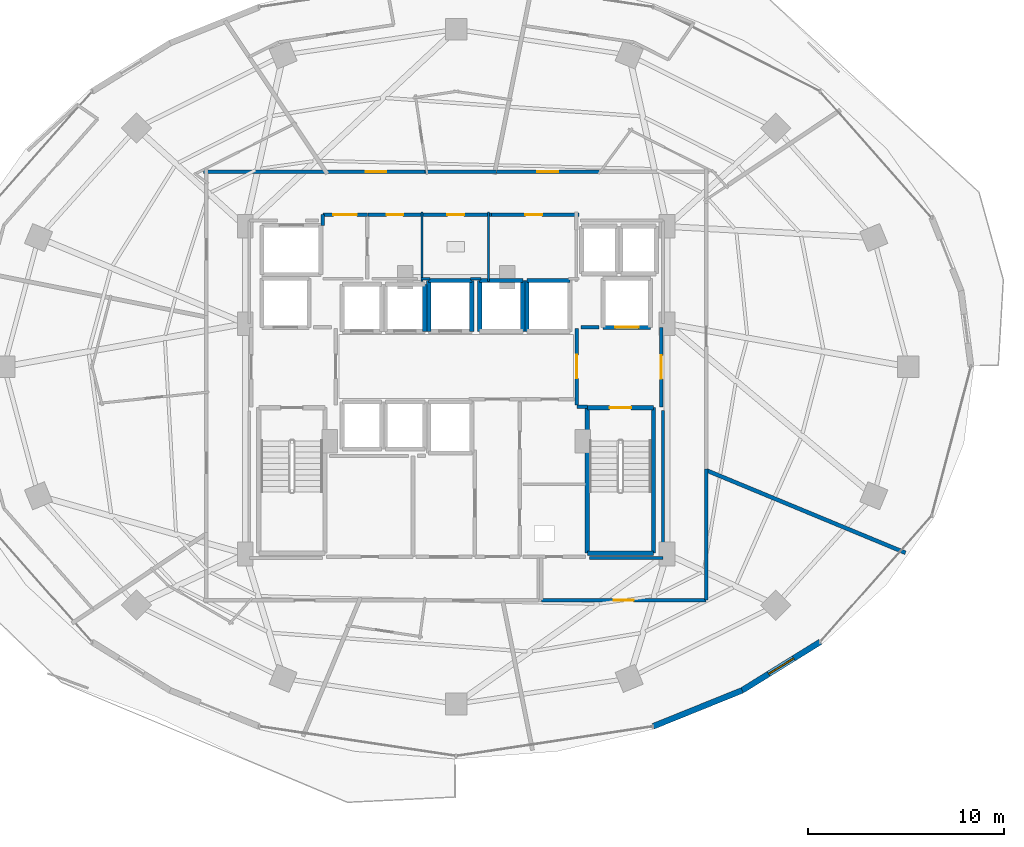
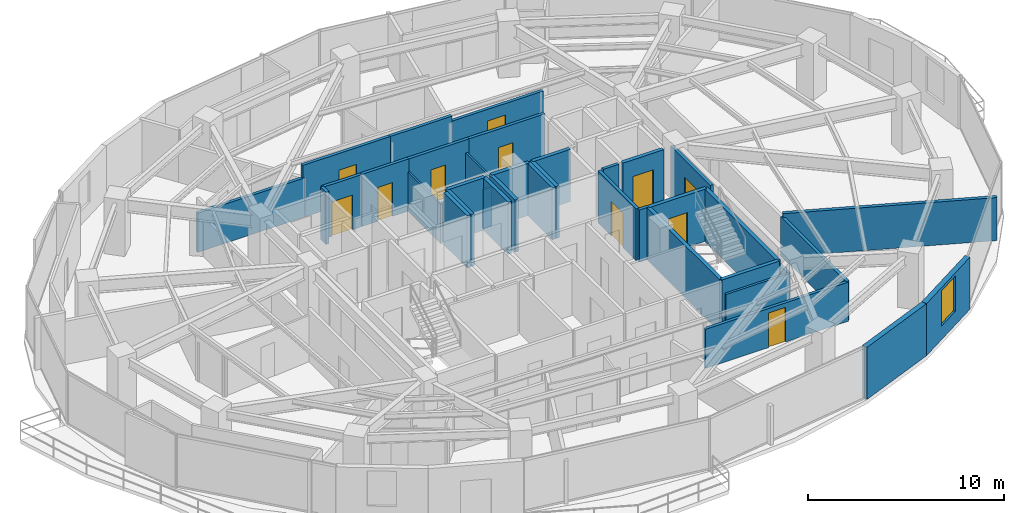
# One storey, part 25 of 30: 38 walls, 11 doors, 1 window, 12 openings.
"""IFC4 building model written with IfcOpenShell, lengths in metres."""

from ifc_helpers import new_model, si_unit, direction, frame, frame_2d, origin, place, context, subcontext, project, spatial, rectangle, extrude, material, layer, layer_set, type_object, element, fill, save


model = new_model("IFC4")

# Units and contexts
model_context = context("Model", 3, precision=1e-05, world=origin(), true_north=direction((0.0, 1.0)))
body_context = subcontext(model_context, "Body", "Model", "MODEL_VIEW")
ifc_project = project(units=[si_unit("LENGTHUNIT", "METRE"), si_unit("AREAUNIT", "SQUARE_METRE"), si_unit("VOLUMEUNIT", "CUBIC_METRE"), si_unit("PLANEANGLEUNIT", "RADIAN"), si_unit("MASSUNIT", "GRAM", prefix="KILO")], contexts=[model_context])

# Site, building, storey
site_placement = place(None, origin())
site = spatial("IfcSite", under=ifc_project, at=site_placement, CompositionType="ELEMENT")
building_placement = place(site_placement, origin())
building = spatial("IfcBuilding", under=site, at=building_placement, Name="Vorneva Point Tower", CompositionType="ELEMENT")
storey_placement = place(building_placement, frame((0.0, 0.0, 78.800048828125)))
storey = spatial("IfcBuildingStorey", under=building, at=storey_placement, Name="L20", CompositionType="ELEMENT", Elevation=78.800048828125)

# Wall, opening, door
ifc_material_1 = material(Name="Concrete B60 (C50/60)", Category="concrete")
ifc_layer_1 = layer(ifc_material_1, 0.5)
ifc_layer_set_1 = layer_set([ifc_layer_1], Name="Concrete B60 (C50/60)")
wall_type_1 = type_object("IfcWallType", Name="WL-CORE-500", PredefinedType="SHEAR", material=ifc_layer_set_1)
wall_1_placement = place(storey_placement, frame((45.5, 28.0, 0.0), z_axis=(0.0, 0.0, 1.0), x_axis=(1.0, 0.0, 0.0)))
wall_1 = element("IfcWall", 1, at=wall_1_placement, inside=storey, type_object=wall_type_1, Name="L20 Lift FFL2 Shaft Wall -Y", PredefinedType="SHEAR", context=body_context, shape_type="SweptSolid", body=[
    extrude(rectangle(XDim=2.39990234375, YDim=0.219970703125, at=frame_2d((1.199951171875, 0.0))), origin(), (0.0, 0.0, 1.0), 3.239990234375),
])
opening_1_placement = place(wall_1_placement, frame((0.60009765625, 0.0, 0.0)))
opening_1 = element("IfcOpeningElement", 2, at=opening_1_placement, cuts=wall_1, Name="Opening LD-02", PredefinedType="OPENING", context=body_context, shape_type="SweptSolid", body=[
    extrude(rectangle(XDim=1.199951171875, YDim=2.199951171875, at=frame_2d((0.60009765625, 1.10009765625))), frame((0.0, 0.125, 0.0), z_axis=(0.0, -1.0, 0.0), x_axis=(1.0, 0.0, 0.0)), (0.0, 0.0, 1.0), 0.249755859375),
])
ifc_material_2 = material(Name="Brushed stainless steel S304", Category="steel")
door_type_1 = type_object("IfcDoorType", Name="LD-FIRE-1200", OperationType="SLIDING_TO_LEFT", PredefinedType="DOOR", material=ifc_material_2)
door_1_placement = place(opening_1_placement, origin())
door_1 = element("IfcDoor", 3, at=door_1_placement, inside=storey, type_object=door_type_1, Name="L20 Lift FFL2 Sliding Landing Door", OperationType="SLIDING_TO_LEFT", OverallHeight=2.199951171875, OverallWidth=1.199951171875, PredefinedType="DOOR", context=body_context, shape_type="SweptSolid", body=[
    extrude(rectangle(XDim=1.199951171875, YDim=2.199951171875, at=frame_2d((0.60009765625, 1.10009765625))), frame((0.0, 0.02490234375, 0.0), z_axis=(0.0, -1.0, 0.0), x_axis=(1.0, 0.0, 0.0)), (0.0, 0.0, 1.0), 0.050048828125),
])
fill(opening_1, door_1)

# Wall
ifc_material_3 = material(Name="Precast concrete B50 (C40/50)", Category="concrete")
ifc_layer_2 = layer(ifc_material_3, 0.300048828125)
ifc_layer_set_2 = layer_set([ifc_layer_2], Name="Precast concrete B50 (C40/50)")
wall_type_2 = type_object("IfcWallType", Name="WL-EXT-300", PredefinedType="STANDARD", material=ifc_layer_set_2)
wall_2_placement = place(storey_placement, frame((48.04541015625, 7.660888671875, 0.0), z_axis=(0.0, 0.0, 1.0), x_axis=(0.927122233109, 0.374759075775, 0.0)))
element("IfcWall", 4, at=wall_2_placement, inside=storey, type_object=wall_type_2, Name="L20 Pale-Metal Facade Spandrel Wall 14.1", PredefinedType="STANDARD", context=body_context, shape_type="SweptSolid", body=[
    extrude(rectangle(XDim=4.89501953125, YDim=0.300048828125, at=frame_2d((2.447509765625, 0.0))), origin(), (0.0, 0.0, 1.0), 3.239990234375),
])

# Wall, opening, window
wall_3_placement = place(storey_placement, frame((52.583740234375, 9.495361328125, 0.0), z_axis=(0.0, 0.0, 1.0), x_axis=(0.849684479743, 0.527291461038, 0.0)))
wall_3 = element("IfcWall", 5, at=wall_3_placement, inside=storey, type_object=wall_type_2, Name="L20 Pale-Metal Facade Spandrel Wall 14.2", PredefinedType="STANDARD", context=body_context, shape_type="SweptSolid", body=[
    extrude(rectangle(XDim=4.681396484375, YDim=0.300048828125, at=frame_2d((2.3408203125, 0.0))), origin(), (0.0, 0.0, 1.0), 3.239990234375),
])
opening_2_placement = place(wall_3_placement, frame((1.5908203125, 0.0, 0.85009765625)))
opening_2 = element("IfcOpeningElement", 6, at=opening_2_placement, cuts=wall_3, Name="Opening W-02", PredefinedType="OPENING", context=body_context, shape_type="SweptSolid", body=[
    extrude(rectangle(XDim=1.5, YDim=2.18994140625, at=frame_2d((0.75, 1.094970703125))), frame((0.0, 0.1650390625, 0.0), z_axis=(0.0, -1.0, 0.0), x_axis=(1.0, 0.0, 0.0)), (0.0, 0.0, 1.0), 0.329833984375),
])
ifc_material_4 = material(Name="Double low-e laminated glass IGU", Category="glass")
window_type = type_object("IfcWindowType", Name="WN-HTL-1500", PartitioningType="SINGLE_PANEL", PredefinedType="WINDOW", material=ifc_material_4)
window_placement = place(opening_2_placement, origin())
window = element("IfcWindow", 7, at=window_placement, inside=storey, type_object=window_type, Name="L20 Facade Window 14", OverallHeight=2.18994140625, OverallWidth=1.5, PartitioningType="SINGLE_PANEL", PredefinedType="WINDOW", context=body_context, shape_type="SweptSolid", body=[
    extrude(rectangle(XDim=1.5, YDim=2.18994140625, at=frame_2d((0.75, 1.094970703125))), frame((0.0, 0.030029296875, 0.0), z_axis=(0.0, -1.0, 0.0), x_axis=(1.0, 0.0, 0.0)), (0.0, 0.0, 1.0), 0.06005859375),
])
fill(opening_2, window)

# Walls
ifc_material_5 = material(Name="Fire-rated acoustic gypsum stud partition", Category="gypsum")
ifc_layer_3 = layer(ifc_material_5, 0.110107421875)
ifc_layer_set_3 = layer_set([ifc_layer_3], Name="Fire-rated acoustic gypsum stud partition")
wall_type_3 = type_object("IfcWallType", Name="WL-PART-110", PredefinedType="PARTITIONING", material=ifc_layer_set_3)
for number, where, z_axis, x_axis, name in (
    (8, (36.25, 30.340087890625, 0.0), (0.0, 0.0, 1.0), (0.0, 1.0, 0.0), "L20 Interior Partition 017"),
    (9, (39.64990234375, 30.340087890625, 0.0), (0.0, 0.0, 1.0), (0.0, 1.0, 0.0), "L20 Interior Partition 019"),
):
    element("IfcWall", number, at=place(storey_placement, frame(where, z_axis=z_axis, x_axis=x_axis)), inside=storey, type_object=wall_type_3, Name=name, PredefinedType="PARTITIONING", context=body_context, shape_type="SweptSolid", body=[
        extrude(rectangle(XDim=3.559814453125, YDim=0.110107421875, at=frame_2d((1.77978515625, 0.0))), origin(), (0.0, 0.0, 1.0), 2.431884765625),
    ])
ifc_layer_4 = layer(ifc_material_5, 0.139892578125)
ifc_layer_set_4 = layer_set([ifc_layer_4], Name="Fire-rated acoustic gypsum stud partition")
wall_type_4 = type_object("IfcWallType", Name="WL-PART-140", PredefinedType="PARTITIONING", material=ifc_layer_set_4)
wall_4_placement = place(storey_placement, frame((36.219970703125, 30.47998046875, 0.0), z_axis=(0.0, 0.0, 1.0), x_axis=(1.0, 0.0, 0.0)))
element("IfcWall", 10, at=wall_4_placement, inside=storey, type_object=wall_type_4, Name="L20 Interior Closure Partition 098", PredefinedType="PARTITIONING", context=body_context, shape_type="SweptSolid", body=[
    extrude(rectangle(XDim=0.445068359375, YDim=0.139892578125, at=frame_2d((0.22265625, 0.0))), origin(), (0.0, 0.0, 1.0), 2.431884765625),
])
wall_5_placement = place(storey_placement, frame((38.735107421875, 30.47998046875, 0.0), z_axis=(0.0, 0.0, 1.0), x_axis=(1.0, 0.0, 0.0)))
element("IfcWall", 11, at=wall_5_placement, inside=storey, type_object=wall_type_4, Name="L20 Interior Closure Partition 099", PredefinedType="PARTITIONING", context=body_context, shape_type="SweptSolid", body=[
    extrude(rectangle(XDim=0.52978515625, YDim=0.139892578125, at=frame_2d((0.264892578125, 0.0))), origin(), (0.0, 0.0, 1.0), 2.431884765625),
])
wall_6_placement = place(storey_placement, frame((48.550048828125, 23.75390625, 0.0), z_axis=(0.0, 0.0, 1.0), x_axis=(0.0, -1.0, 0.0)))
element("IfcWall", 12, at=wall_6_placement, inside=storey, type_object=wall_type_4, Name="L20 Interior Closure Partition 106", PredefinedType="PARTITIONING", context=body_context, shape_type="SweptSolid", body=[
    extrude(rectangle(XDim=7.513916015625, YDim=0.139892578125, at=frame_2d((3.7568359375, 0.0))), origin(), (0.0, 0.0, 1.0), 2.431884765625),
])
wall_7_placement = place(storey_placement, frame((48.550048828125, 16.239990234375, 0.0), z_axis=(0.0, 0.0, 1.0), x_axis=(-1.0, 0.0, 0.0)))
element("IfcWall", 13, at=wall_7_placement, inside=storey, type_object=wall_type_4, Name="L20 Interior Closure Partition 107", PredefinedType="PARTITIONING", context=body_context, shape_type="SweptSolid", body=[
    extrude(rectangle(XDim=3.7451171875, YDim=0.139892578125, at=frame_2d((1.87255859375, 0.0))), origin(), (0.0, 0.0, 1.0), 2.431884765625),
])

# Wall, opening, door
ifc_material_6 = material(Name="Autoclaved aerated concrete blockwork", Category="masonry")
ifc_layer_5 = layer(ifc_material_6, 0.179931640625)
ifc_layer_set_5 = layer_set([ifc_layer_5], Name="Autoclaved aerated concrete blockwork")
wall_type_5 = type_object("IfcWallType", Name="WL-PART-180", PredefinedType="PARTITIONING", material=ifc_layer_set_5)
wall_8_placement = place(storey_placement, frame((44.14990234375, 27.955078125, 0.0), z_axis=(0.0, 0.0, 1.0), x_axis=(0.0, -1.0, 0.0)))
wall_8 = element("IfcWall", 14, at=wall_8_placement, inside=storey, type_object=wall_type_5, Name="L20 Interior Partition 003", PredefinedType="PARTITIONING", context=body_context, shape_type="SweptSolid", body=[
    extrude(rectangle(XDim=3.91015625, YDim=0.179931640625, at=frame_2d((1.955078125, 0.0))), origin(), (0.0, 0.0, 1.0), 3.239990234375),
])
opening_3_placement = place(wall_8_placement, frame((1.35498046875, 0.0, 0.0)))
opening_3 = element("IfcOpeningElement", 15, at=opening_3_placement, cuts=wall_8, Name="Opening FD-02", PredefinedType="OPENING", context=body_context, shape_type="SweptSolid", body=[
    extrude(rectangle(XDim=1.199951171875, YDim=2.14990234375, at=frame_2d((0.60009765625, 1.074951171875))), frame((0.0, 0.10498046875, 0.0), z_axis=(0.0, -1.0, 0.0), x_axis=(1.0, 0.0, 0.0)), (0.0, 0.0, 1.0), 0.209716796875),
])
ifc_material_7 = material(Name="Fire-rated powder-coated steel", Category="steel")
door_type_2 = type_object("IfcDoorType", Name="DR-FFL-1200", OperationType="NOTDEFINED", PredefinedType="DOOR", material=ifc_material_7)
door_2_placement = place(opening_3_placement, origin())
door_2 = element("IfcDoor", 16, at=door_2_placement, inside=storey, type_object=door_type_2, Name="L20 Door East Firefighting Lobby / Central Lift Lobby", OperationType="SINGLE_SWING_LEFT", OverallHeight=2.14990234375, OverallWidth=1.199951171875, PredefinedType="DOOR", context=body_context, shape_type="SweptSolid", body=[
    extrude(rectangle(XDim=1.199951171875, YDim=2.14990234375, at=frame_2d((0.60009765625, 1.074951171875))), frame((0.0, 0.02490234375, 0.0), z_axis=(0.0, -1.0, 0.0), x_axis=(1.0, 0.0, 0.0)), (0.0, 0.0, 1.0), 0.050048828125),
])
fill(opening_3, door_2)

# Wall
wall_9_placement = place(storey_placement, frame((44.14990234375, 23.949951171875, 0.0), z_axis=(0.0, 0.0, 1.0), x_axis=(1.0, 0.0, 0.0)))
element("IfcWall", 17, at=wall_9_placement, inside=storey, type_object=wall_type_5, Name="L20 Interior Partition 004", PredefinedType="PARTITIONING", context=body_context, shape_type="SweptSolid", body=[
    extrude(rectangle(XDim=0.5400390625, YDim=0.179931640625, at=frame_2d((0.27001953125, 0.0))), origin(), (0.0, 0.0, 1.0), 3.239990234375),
])

# Wall, opening, door
wall_10_placement = place(storey_placement, frame((48.449951171875, 23.949951171875, 0.0), z_axis=(0.0, 0.0, 1.0), x_axis=(0.0, 1.0, 0.0)))
wall_10 = element("IfcWall", 18, at=wall_10_placement, inside=storey, type_object=wall_type_5, Name="L20 Interior Partition 005", PredefinedType="PARTITIONING", context=body_context, shape_type="SweptSolid", body=[
    extrude(rectangle(XDim=4.050048828125, YDim=0.179931640625, at=frame_2d((2.02490234375, 0.0))), origin(), (0.0, 0.0, 1.0), 3.239990234375),
])
opening_4_placement = place(wall_10_placement, frame((1.425048828125, 0.0, 0.0)))
opening_4 = element("IfcOpeningElement", 19, at=opening_4_placement, cuts=wall_10, Name="Opening FD-02", PredefinedType="OPENING", context=body_context, shape_type="SweptSolid", body=[
    extrude(rectangle(XDim=1.199951171875, YDim=2.14990234375, at=frame_2d((0.60009765625, 1.074951171875))), frame((0.0, 0.10498046875, 0.0), z_axis=(0.0, -1.0, 0.0), x_axis=(1.0, 0.0, 0.0)), (0.0, 0.0, 1.0), 0.209716796875),
])
door_3_placement = place(opening_4_placement, origin())
door_3 = element("IfcDoor", 20, at=door_3_placement, inside=storey, type_object=door_type_2, Name="L20 Door East Firefighting Lobby / L20 Circulation Corridor", OperationType="SINGLE_SWING_LEFT", OverallHeight=2.14990234375, OverallWidth=1.199951171875, PredefinedType="DOOR", context=body_context, shape_type="SweptSolid", body=[
    extrude(rectangle(XDim=1.199951171875, YDim=2.14990234375, at=frame_2d((0.60009765625, 1.074951171875))), frame((0.0, 0.02490234375, 0.0), z_axis=(0.0, -1.0, 0.0), x_axis=(1.0, 0.0, 0.0)), (0.0, 0.0, 1.0), 0.050048828125),
])
fill(opening_4, door_3)

wall_11_placement = place(storey_placement, frame((33.469970703125, 33.760009765625, 0.0), z_axis=(0.0, 0.0, 1.0), x_axis=(-1.0, 0.0, 0.0)))
wall_11 = element("IfcWall", 21, at=wall_11_placement, inside=storey, type_object=wall_type_5, Name="L20 Interior Partition 007", PredefinedType="PARTITIONING", context=body_context, shape_type="SweptSolid", body=[
    extrude(rectangle(XDim=2.27001953125, YDim=0.179931640625, at=frame_2d((1.135009765625, 0.0))), origin(), (0.0, 0.0, 1.0), 3.239990234375),
])
opening_5_placement = place(wall_11_placement, frame((0.534912109375, 0.0, 0.0)))
opening_5 = element("IfcOpeningElement", 22, at=opening_5_placement, cuts=wall_11, Name="Opening FD-02", PredefinedType="OPENING", context=body_context, shape_type="SweptSolid", body=[
    extrude(rectangle(XDim=1.199951171875, YDim=2.14990234375, at=frame_2d((0.60009765625, 1.074951171875))), frame((0.0, 0.10498046875, 0.0), z_axis=(0.0, -1.0, 0.0), x_axis=(1.0, 0.0, 0.0)), (0.0, 0.0, 1.0), 0.209716796875),
])
door_4_placement = place(opening_5_placement, origin())
door_4 = element("IfcDoor", 23, at=door_4_placement, inside=storey, type_object=door_type_2, Name="L20 Door Service Lift Lobby / L20 Circulation Corridor", OperationType="SINGLE_SWING_RIGHT", OverallHeight=2.14990234375, OverallWidth=1.199951171875, PredefinedType="DOOR", context=body_context, shape_type="SweptSolid", body=[
    extrude(rectangle(XDim=1.199951171875, YDim=2.14990234375, at=frame_2d((0.60009765625, 1.074951171875))), frame((0.0, 0.02490234375, 0.0), z_axis=(0.0, -1.0, 0.0), x_axis=(1.0, 0.0, 0.0)), (0.0, 0.0, 1.0), 0.050048828125),
])
fill(opening_5, door_4)

# Wall
wall_12_placement = place(storey_placement, frame((31.199951171875, 33.760009765625, 0.0), z_axis=(0.0, 0.0, 1.0), x_axis=(0.0, -1.0, 0.0)))
element("IfcWall", 24, at=wall_12_placement, inside=storey, type_object=wall_type_5, Name="L20 Interior Partition 008", PredefinedType="PARTITIONING", context=body_context, shape_type="SweptSolid", body=[
    extrude(rectangle(XDim=0.56005859375, YDim=0.179931640625, at=frame_2d((0.280029296875, 0.0))), origin(), (0.0, 0.0, 1.0), 3.239990234375),
])

# Wall, opening, door
wall_13_placement = place(storey_placement, frame((36.25, 33.760009765625, 0.0), z_axis=(0.0, 0.0, 1.0), x_axis=(-1.0, 0.0, 0.0)))
wall_13 = element("IfcWall", 25, at=wall_13_placement, inside=storey, type_object=wall_type_5, Name="L20 Interior Partition 018", PredefinedType="PARTITIONING", context=body_context, shape_type="SweptSolid", body=[
    extrude(rectangle(XDim=2.75, YDim=0.179931640625, at=frame_2d((1.375, 0.0))), origin(), (0.0, 0.0, 1.0), 3.239990234375),
])
opening_6_placement = place(wall_13_placement, frame((0.949951171875, 0.0, 0.0)))
opening_6 = element("IfcOpeningElement", 26, at=opening_6_placement, cuts=wall_13, Name="Opening ID-02", PredefinedType="OPENING", context=body_context, shape_type="SweptSolid", body=[
    extrude(rectangle(XDim=0.85009765625, YDim=2.10009765625, at=frame_2d((0.425048828125, 1.050048828125))), frame((0.0, 0.10498046875, 0.0), z_axis=(0.0, -1.0, 0.0), x_axis=(1.0, 0.0, 0.0)), (0.0, 0.0, 1.0), 0.209716796875),
])
ifc_material_8 = material(Name="Engineered oak fire-rated door leaf", Category="wood")
door_type_3 = type_object("IfcDoorType", Name="DR-BATH-850", OperationType="NOTDEFINED", PredefinedType="DOOR", material=ifc_material_8)
door_5_placement = place(opening_6_placement, origin())
door_5 = element("IfcDoor", 27, at=door_5_placement, inside=storey, type_object=door_type_3, Name="L20 Door Core Supply Store / L20 Circulation Corridor", OperationType="SINGLE_SWING_RIGHT", OverallHeight=2.10009765625, OverallWidth=0.85009765625, PredefinedType="DOOR", context=body_context, shape_type="SweptSolid", body=[
    extrude(rectangle(XDim=0.85009765625, YDim=2.10009765625, at=frame_2d((0.425048828125, 1.050048828125))), frame((0.0, 0.02490234375, 0.0), z_axis=(0.0, -1.0, 0.0), x_axis=(1.0, 0.0, 0.0)), (0.0, 0.0, 1.0), 0.050048828125),
])
fill(opening_6, door_5)

wall_14_placement = place(storey_placement, frame((39.7900390625, 33.760009765625, 0.0), z_axis=(0.0, 0.0, 1.0), x_axis=(-1.0, 0.0, 0.0)))
wall_14 = element("IfcWall", 28, at=wall_14_placement, inside=storey, type_object=wall_type_5, Name="L20 Interior Partition 020", PredefinedType="PARTITIONING", context=body_context, shape_type="SweptSolid", body=[
    extrude(rectangle(XDim=3.630126953125, YDim=0.179931640625, at=frame_2d((1.81494140625, 0.0))), origin(), (0.0, 0.0, 1.0), 3.239990234375),
])
opening_7_placement = place(wall_14_placement, frame((1.389892578125, 0.0, 0.0)))
opening_7 = element("IfcOpeningElement", 29, at=opening_7_placement, cuts=wall_14, Name="Opening ID-02", PredefinedType="OPENING", context=body_context, shape_type="SweptSolid", body=[
    extrude(rectangle(XDim=0.85009765625, YDim=2.10009765625, at=frame_2d((0.425048828125, 1.050048828125))), frame((0.0, 0.10498046875, 0.0), z_axis=(0.0, -1.0, 0.0), x_axis=(1.0, 0.0, 0.0)), (0.0, 0.0, 1.0), 0.209716796875),
])
door_6_placement = place(opening_7_placement, origin())
door_6 = element("IfcDoor", 30, at=door_6_placement, inside=storey, type_object=door_type_3, Name="L20 Door Accessible WC / L20 Circulation Corridor", OperationType="SINGLE_SWING_LEFT", OverallHeight=2.10009765625, OverallWidth=0.85009765625, PredefinedType="DOOR", context=body_context, shape_type="SweptSolid", body=[
    extrude(rectangle(XDim=0.85009765625, YDim=2.10009765625, at=frame_2d((0.425048828125, 1.050048828125))), frame((0.0, 0.02490234375, 0.0), z_axis=(0.0, -1.0, 0.0), x_axis=(1.0, 0.0, 0.0)), (0.0, 0.0, 1.0), 0.050048828125),
])
fill(opening_7, door_6)

wall_15_placement = place(storey_placement, frame((44.260009765625, 33.760009765625, 0.0), z_axis=(0.0, 0.0, 1.0), x_axis=(-1.0, 0.0, 0.0)))
wall_15 = element("IfcWall", 31, at=wall_15_placement, inside=storey, type_object=wall_type_5, Name="L20 Interior Partition 021", PredefinedType="PARTITIONING", context=body_context, shape_type="SweptSolid", body=[
    extrude(rectangle(XDim=4.610107421875, YDim=0.179931640625, at=frame_2d((2.30517578125, 0.0))), origin(), (0.0, 0.0, 1.0), 3.239990234375),
])
opening_8_placement = place(wall_15_placement, frame((1.8798828125, 0.0, 0.0)))
opening_8 = element("IfcOpeningElement", 32, at=opening_8_placement, cuts=wall_15, Name="Opening ID-02", PredefinedType="OPENING", context=body_context, shape_type="SweptSolid", body=[
    extrude(rectangle(XDim=0.85009765625, YDim=2.10009765625, at=frame_2d((0.425048828125, 1.050048828125))), frame((0.0, 0.10498046875, 0.0), z_axis=(0.0, -1.0, 0.0), x_axis=(1.0, 0.0, 0.0)), (0.0, 0.0, 1.0), 0.209716796875),
])
door_7_placement = place(opening_8_placement, origin())
door_7 = element("IfcDoor", 33, at=door_7_placement, inside=storey, type_object=door_type_3, Name="L20 Door Public WC / L20 Circulation Corridor", OperationType="SINGLE_SWING_RIGHT", OverallHeight=2.10009765625, OverallWidth=0.85009765625, PredefinedType="DOOR", context=body_context, shape_type="SweptSolid", body=[
    extrude(rectangle(XDim=0.85009765625, YDim=2.10009765625, at=frame_2d((0.425048828125, 1.050048828125))), frame((0.0, 0.02490234375, 0.0), z_axis=(0.0, -1.0, 0.0), x_axis=(1.0, 0.0, 0.0)), (0.0, 0.0, 1.0), 0.050048828125),
])
fill(opening_8, door_7)

wall_16_placement = place(storey_placement, frame((45.424072265625, 35.949951171875, 0.0), z_axis=(0.0, 0.0, 1.0), x_axis=(-1.0, 0.0, 0.0)))
wall_16 = element("IfcWall", 34, at=wall_16_placement, inside=storey, type_object=wall_type_5, Name="L20 Interior Partition 026", PredefinedType="PARTITIONING", context=body_context, shape_type="SweptSolid", body=[
    extrude(rectangle(XDim=5.505126953125, YDim=0.179931640625, at=frame_2d((2.75244140625, 0.0))), origin(), (0.0, 0.0, 1.0), 2.921875),
])
opening_9_placement = place(wall_16_placement, frame((2.2275390625, 0.0, 0.0)))
opening_9 = element("IfcOpeningElement", 35, at=opening_9_placement, cuts=wall_16, Name="Opening UD-02", PredefinedType="OPENING", context=body_context, shape_type="SweptSolid", body=[
    extrude(rectangle(XDim=1.050048828125, YDim=2.199951171875, at=frame_2d((0.52490234375, 1.10009765625))), frame((0.0, 0.10498046875, 0.0), z_axis=(0.0, -1.0, 0.0), x_axis=(1.0, 0.0, 0.0)), (0.0, 0.0, 1.0), 0.209716796875),
])
door_type_4 = type_object("IfcDoorType", Name="DR-SUITE-1050", OperationType="NOTDEFINED", PredefinedType="DOOR", material=ifc_material_8)
door_8_placement = place(opening_9_placement, origin())
door_8 = element("IfcDoor", 36, at=door_8_placement, inside=storey, type_object=door_type_4, Name="L20 Door L20 Circulation Corridor / Corner Suite L20-01", OperationType="SINGLE_SWING_LEFT", OverallHeight=2.199951171875, OverallWidth=1.050048828125, PredefinedType="DOOR", context=body_context, shape_type="SweptSolid", body=[
    extrude(rectangle(XDim=1.050048828125, YDim=2.199951171875, at=frame_2d((0.52490234375, 1.10009765625))), frame((0.0, 0.02490234375, 0.0), z_axis=(0.0, -1.0, 0.0), x_axis=(1.0, 0.0, 0.0)), (0.0, 0.0, 1.0), 0.050048828125),
])
fill(opening_9, door_8)

wall_17_placement = place(storey_placement, frame((36.56396484375, 35.949951171875, 0.0), z_axis=(0.0, 0.0, 1.0), x_axis=(-1.0, 0.0, 0.0)))
wall_17 = element("IfcWall", 37, at=wall_17_placement, inside=storey, type_object=wall_type_5, Name="L20 Interior Partition 029", PredefinedType="PARTITIONING", context=body_context, shape_type="SweptSolid", body=[
    extrude(rectangle(XDim=5.283935546875, YDim=0.179931640625, at=frame_2d((2.64208984375, 0.0))), origin(), (0.0, 0.0, 1.0), 3.239990234375),
])
opening_10_placement = place(wall_17_placement, frame((2.116943359375, 0.0, 0.0)))
opening_10 = element("IfcOpeningElement", 38, at=opening_10_placement, cuts=wall_17, Name="Opening UD-02", PredefinedType="OPENING", context=body_context, shape_type="SweptSolid", body=[
    extrude(rectangle(XDim=1.050048828125, YDim=2.199951171875, at=frame_2d((0.52490234375, 1.10009765625))), frame((0.0, 0.10498046875, 0.0), z_axis=(0.0, -1.0, 0.0), x_axis=(1.0, 0.0, 0.0)), (0.0, 0.0, 1.0), 0.209716796875),
])
door_9_placement = place(opening_10_placement, origin())
door_9 = element("IfcDoor", 39, at=door_9_placement, inside=storey, type_object=door_type_4, Name="L20 Door L20 Circulation Corridor / Junior Suite L20-02", OperationType="SINGLE_SWING_RIGHT", OverallHeight=2.199951171875, OverallWidth=1.050048828125, PredefinedType="DOOR", context=body_context, shape_type="SweptSolid", body=[
    extrude(rectangle(XDim=1.050048828125, YDim=2.199951171875, at=frame_2d((0.52490234375, 1.10009765625))), frame((0.0, 0.02490234375, 0.0), z_axis=(0.0, -1.0, 0.0), x_axis=(1.0, 0.0, 0.0)), (0.0, 0.0, 1.0), 0.050048828125),
])
fill(opening_10, door_9)

# Walls
wall_18_placement = place(storey_placement, frame((40.05908203125, 35.949951171875, 0.0), z_axis=(0.0, 0.0, 1.0), x_axis=(-1.0, 0.0, 0.0)))
element("IfcWall", 40, at=wall_18_placement, inside=storey, type_object=wall_type_5, Name="L20 Interior Partition 030", PredefinedType="PARTITIONING", context=body_context, shape_type="SweptSolid", body=[
    extrude(rectangle(XDim=3.635009765625, YDim=0.179931640625, at=frame_2d((1.8173828125, 0.0))), origin(), (0.0, 0.0, 1.0), 3.239990234375),
])
wall_19_placement = place(storey_placement, frame((31.419921875, 35.949951171875, 0.0), z_axis=(0.0, 0.0, 1.0), x_axis=(-1.0, 0.0, 0.0)))
element("IfcWall", 41, at=wall_19_placement, inside=storey, type_object=wall_type_5, Name="L20 Interior Partition 032", PredefinedType="PARTITIONING", context=body_context, shape_type="SweptSolid", body=[
    extrude(rectangle(XDim=6.309814453125, YDim=0.179931640625, at=frame_2d((3.15478515625, 0.0))), origin(), (0.0, 0.0, 1.0), 2.431884765625),
])

# Wall, opening, door
wall_20_placement = place(storey_placement, frame((42.340087890625, 14.10009765625, 0.0), z_axis=(0.0, 0.0, 1.0), x_axis=(1.0, 0.0, 0.0)))
wall_20 = element("IfcWall", 42, at=wall_20_placement, inside=storey, type_object=wall_type_5, Name="L20 Interior Partition 042", PredefinedType="PARTITIONING", context=body_context, shape_type="SweptSolid", body=[
    extrude(rectangle(XDim=8.409912109375, YDim=0.179931640625, at=frame_2d((4.205078125, 0.0))), origin(), (0.0, 0.0, 1.0), 2.431884765625),
])
opening_11_placement = place(wall_20_placement, frame((3.705078125, 0.0, 0.0)))
opening_11 = element("IfcOpeningElement", 43, at=opening_11_placement, cuts=wall_20, Name="Opening UD-01", PredefinedType="OPENING", context=body_context, shape_type="SweptSolid", body=[
    extrude(rectangle(XDim=1.0, YDim=2.14990234375, at=frame_2d((0.5, 1.074951171875))), frame((0.0, 0.10498046875, 0.0), z_axis=(0.0, -1.0, 0.0), x_axis=(1.0, 0.0, 0.0)), (0.0, 0.0, 1.0), 0.209716796875),
])
door_type_5 = type_object("IfcDoorType", Name="DR-UNIT-1000", OperationType="NOTDEFINED", PredefinedType="DOOR", material=ifc_material_8)
door_10_placement = place(opening_11_placement, origin())
door_10 = element("IfcDoor", 44, at=door_10_placement, inside=storey, type_object=door_type_5, Name="L20 Door L20 Circulation Corridor / Hotel Club Lounge L20-07", OperationType="SINGLE_SWING_LEFT", OverallHeight=2.14990234375, OverallWidth=1.0, PredefinedType="DOOR", context=body_context, shape_type="SweptSolid", body=[
    extrude(rectangle(XDim=1.0, YDim=2.14990234375, at=frame_2d((0.5, 1.074951171875))), frame((0.0, 0.02490234375, 0.0), z_axis=(0.0, -1.0, 0.0), x_axis=(1.0, 0.0, 0.0)), (0.0, 0.0, 1.0), 0.050048828125),
])
fill(opening_11, door_10)

# Walls
wall_21_placement = place(storey_placement, frame((50.75, 14.10009765625, 0.0), z_axis=(0.0, 0.0, 1.0), x_axis=(0.0, 1.0, 0.0)))
element("IfcWall", 45, at=wall_21_placement, inside=storey, type_object=wall_type_5, Name="L20 Interior Partition 043", PredefinedType="PARTITIONING", context=body_context, shape_type="SweptSolid", body=[
    extrude(rectangle(XDim=6.678955078125, YDim=0.179931640625, at=frame_2d((3.33935546875, 0.0))), origin(), (0.0, 0.0, 1.0), 2.431884765625),
])
wall_22_placement = place(storey_placement, frame((45.280029296875, 28.0, 0.0), z_axis=(0.0, 0.0, 1.0), x_axis=(-1.0, 0.0, 0.0)))
element("IfcWall", 46, at=wall_22_placement, inside=storey, type_object=wall_type_5, Name="L20 Interior Closure Partition 095", PredefinedType="PARTITIONING", context=body_context, shape_type="SweptSolid", body=[
    extrude(rectangle(XDim=0.9150390625, YDim=0.179931640625, at=frame_2d((0.45751953125, 0.0))), origin(), (0.0, 0.0, 1.0), 3.239990234375),
])
ifc_layer_6 = layer(ifc_material_6, 0.199951171875)
ifc_layer_set_6 = layer_set([ifc_layer_6], Name="Autoclaved aerated concrete blockwork")
wall_type_6 = type_object("IfcWallType", Name="WL-PART-200", PredefinedType="PARTITIONING", material=ifc_layer_set_6)
wall_23_placement = place(storey_placement, frame((60.910888671875, 16.510009765625, 0.0), z_axis=(0.0, 0.0, 1.0), x_axis=(-0.923872894692, 0.382699457086, 0.0)))
element("IfcWall", 47, at=wall_23_placement, inside=storey, type_object=wall_type_6, Name="L20 Interior Partition 093", PredefinedType="PARTITIONING", context=body_context, shape_type="SweptSolid", body=[
    extrude(rectangle(XDim=10.998046875, YDim=0.199951171875, at=frame_2d((5.4990234375, 0.0))), origin(), (0.0, 0.0, 1.0), 2.677001953125),
])

# Wall, opening, door
ifc_material_9 = material(Name="Concrete B50 (C40/50)", Category="concrete")
ifc_layer_7 = layer(ifc_material_9, 0.219970703125)
ifc_layer_set_7 = layer_set([ifc_layer_7], Name="Concrete B50 (C40/50)")
wall_type_7 = type_object("IfcWallType", Name="WL-SHFT-220", PredefinedType="SOLIDWALL", material=ifc_layer_set_7)
wall_24_placement = place(storey_placement, frame((44.68994140625, 23.909912109375, 0.0), z_axis=(0.0, 0.0, 1.0), x_axis=(1.0, 0.0, 0.0)))
wall_24 = element("IfcWall", 48, at=wall_24_placement, inside=storey, type_object=wall_type_7, Name="L20 Exit Stair ST2 Shaft Wall near", PredefinedType="SOLIDWALL", context=body_context, shape_type="SweptSolid", body=[
    extrude(rectangle(XDim=3.3701171875, YDim=0.219970703125, at=frame_2d((1.68505859375, 0.0))), origin(), (0.0, 0.0, 1.0), 3.239990234375),
])
opening_12_placement = place(wall_24_placement, frame((1.135009765625, 0.0, 0.0)))
opening_12 = element("IfcOpeningElement", 49, at=opening_12_placement, cuts=wall_24, Name="Opening FD-01", PredefinedType="OPENING", context=body_context, shape_type="SweptSolid", body=[
    extrude(rectangle(XDim=1.10009765625, YDim=2.14990234375, at=frame_2d((0.550048828125, 1.074951171875))), frame((0.0, 0.125, 0.0), z_axis=(0.0, -1.0, 0.0), x_axis=(1.0, 0.0, 0.0)), (0.0, 0.0, 1.0), 0.249755859375),
])
door_type_6 = type_object("IfcDoorType", Name="DR-STAIR-1100", OperationType="NOTDEFINED", PredefinedType="DOOR", material=ifc_material_7)
door_11_placement = place(opening_12_placement, origin())
door_11 = element("IfcDoor", 50, at=door_11_placement, inside=storey, type_object=door_type_6, Name="L20 Exit Stair ST2 Fire Door", OperationType="SINGLE_SWING_LEFT", OverallHeight=2.14990234375, OverallWidth=1.10009765625, PredefinedType="DOOR", context=body_context, shape_type="SweptSolid", body=[
    extrude(rectangle(XDim=1.10009765625, YDim=2.14990234375, at=frame_2d((0.550048828125, 1.074951171875))), frame((0.0, 0.02490234375, 0.0), z_axis=(0.0, -1.0, 0.0), x_axis=(1.0, 0.0, 0.0)), (0.0, 0.0, 1.0), 0.050048828125),
])
fill(opening_12, door_11)

# Walls
wall_25_placement = place(storey_placement, frame((48.06005859375, 23.909912109375, 0.0), z_axis=(0.0, 0.0, 1.0), x_axis=(0.0, -1.0, 0.0)))
element("IfcWall", 51, at=wall_25_placement, inside=storey, type_object=wall_type_7, Name="L20 Exit Stair ST2 Shaft Wall right", PredefinedType="SOLIDWALL", context=body_context, shape_type="SweptSolid", body=[
    extrude(rectangle(XDim=7.419921875, YDim=0.219970703125, at=frame_2d((3.7099609375, 0.0))), origin(), (0.0, 0.0, 1.0), 3.239990234375),
])
wall_26_placement = place(storey_placement, frame((48.06005859375, 16.489990234375, 0.0), z_axis=(0.0, 0.0, 1.0), x_axis=(-1.0, 0.0, 0.0)))
element("IfcWall", 52, at=wall_26_placement, inside=storey, type_object=wall_type_7, Name="L20 Exit Stair ST2 Shaft Wall far", PredefinedType="SOLIDWALL", context=body_context, shape_type="SweptSolid", body=[
    extrude(rectangle(XDim=3.3701171875, YDim=0.219970703125, at=frame_2d((1.68505859375, 0.0))), origin(), (0.0, 0.0, 1.0), 3.239990234375),
])
wall_27_placement = place(storey_placement, frame((44.68994140625, 16.489990234375, 0.0), z_axis=(0.0, 0.0, 1.0), x_axis=(0.0, 1.0, 0.0)))
element("IfcWall", 53, at=wall_27_placement, inside=storey, type_object=wall_type_7, Name="L20 Exit Stair ST2 Shaft Wall left", PredefinedType="SOLIDWALL", context=body_context, shape_type="SweptSolid", body=[
    extrude(rectangle(XDim=7.419921875, YDim=0.219970703125, at=frame_2d((3.7099609375, 0.0))), origin(), (0.0, 0.0, 1.0), 3.239990234375),
])
wall_28_placement = place(storey_placement, frame((36.39990234375, 27.800048828125, 0.0), z_axis=(0.0, 0.0, 1.0), x_axis=(0.0, 1.0, 0.0)))
element("IfcWall", 54, at=wall_28_placement, inside=storey, type_object=wall_type_7, Name="L20 Lift PL2 Shaft Wall +X", PredefinedType="SOLIDWALL", context=body_context, shape_type="SweptSolid", body=[
    extrude(rectangle(XDim=2.39990234375, YDim=0.219970703125, at=frame_2d((1.199951171875, 0.0))), origin(), (0.0, 0.0, 1.0), 3.239990234375),
])
wall_29_placement = place(storey_placement, frame((38.800048828125, 27.800048828125, 0.0), z_axis=(0.0, 0.0, 1.0), x_axis=(0.0, 1.0, 0.0)))
element("IfcWall", 55, at=wall_29_placement, inside=storey, type_object=wall_type_7, Name="L20 Lift PL3 Shaft Wall +X", PredefinedType="SOLIDWALL", context=body_context, shape_type="SweptSolid", body=[
    extrude(rectangle(XDim=2.599853515625, YDim=0.219970703125, at=frame_2d((1.2998046875, 0.0))), origin(), (0.0, 0.0, 1.0), 3.239990234375),
])
wall_30_placement = place(storey_placement, frame((38.800048828125, 30.39990234375, 0.0), z_axis=(0.0, 0.0, 1.0), x_axis=(-1.0, 0.0, 0.0)))
element("IfcWall", 56, at=wall_30_placement, inside=storey, type_object=wall_type_7, Name="L20 Lift PL3 Shaft Wall +Y", PredefinedType="SOLIDWALL", context=body_context, shape_type="SweptSolid", body=[
    extrude(rectangle(XDim=2.199951171875, YDim=0.219970703125, at=frame_2d((1.10009765625, 0.0))), origin(), (0.0, 0.0, 1.0), 3.239990234375),
])
for number, where, z_axis, x_axis, name in (
    (57, (36.60009765625, 30.39990234375, 0.0), (0.0, 0.0, 1.0), (0.0, -1.0, 0.0), "L20 Lift PL3 Shaft Wall -X"),
    (58, (41.39990234375, 27.800048828125, 0.0), (0.0, 0.0, 1.0), (0.0, 1.0, 0.0), "L20 Lift PL7 Shaft Wall +X"),
):
    element("IfcWall", number, at=place(storey_placement, frame(where, z_axis=z_axis, x_axis=x_axis)), inside=storey, type_object=wall_type_7, Name=name, PredefinedType="SOLIDWALL", context=body_context, shape_type="SweptSolid", body=[
        extrude(rectangle(XDim=2.599853515625, YDim=0.219970703125, at=frame_2d((1.2998046875, 0.0))), origin(), (0.0, 0.0, 1.0), 3.239990234375),
    ])
wall_31_placement = place(storey_placement, frame((41.39990234375, 30.39990234375, 0.0), z_axis=(0.0, 0.0, 1.0), x_axis=(-1.0, 0.0, 0.0)))
element("IfcWall", 59, at=wall_31_placement, inside=storey, type_object=wall_type_7, Name="L20 Lift PL7 Shaft Wall +Y", PredefinedType="SOLIDWALL", context=body_context, shape_type="SweptSolid", body=[
    extrude(rectangle(XDim=2.199951171875, YDim=0.219970703125, at=frame_2d((1.10009765625, 0.0))), origin(), (0.0, 0.0, 1.0), 3.239990234375),
])
wall_32_placement = place(storey_placement, frame((39.199951171875, 30.39990234375, 0.0), z_axis=(0.0, 0.0, 1.0), x_axis=(0.0, -1.0, 0.0)))
element("IfcWall", 60, at=wall_32_placement, inside=storey, type_object=wall_type_7, Name="L20 Lift PL7 Shaft Wall -X", PredefinedType="SOLIDWALL", context=body_context, shape_type="SweptSolid", body=[
    extrude(rectangle(XDim=2.599853515625, YDim=0.219970703125, at=frame_2d((1.2998046875, 0.0))), origin(), (0.0, 0.0, 1.0), 3.239990234375),
])
wall_33_placement = place(storey_placement, frame((43.800048828125, 30.39990234375, 0.0), z_axis=(0.0, 0.0, 1.0), x_axis=(-1.0, 0.0, 0.0)))
element("IfcWall", 61, at=wall_33_placement, inside=storey, type_object=wall_type_7, Name="L20 Lift PL8 Shaft Wall +Y", PredefinedType="SOLIDWALL", context=body_context, shape_type="SweptSolid", body=[
    extrude(rectangle(XDim=2.199951171875, YDim=0.219970703125, at=frame_2d((1.10009765625, 0.0))), origin(), (0.0, 0.0, 1.0), 3.239990234375),
])
wall_34_placement = place(storey_placement, frame((41.60009765625, 30.39990234375, 0.0), z_axis=(0.0, 0.0, 1.0), x_axis=(0.0, -1.0, 0.0)))
element("IfcWall", 62, at=wall_34_placement, inside=storey, type_object=wall_type_7, Name="L20 Lift PL8 Shaft Wall -X", PredefinedType="SOLIDWALL", context=body_context, shape_type="SweptSolid", body=[
    extrude(rectangle(XDim=2.599853515625, YDim=0.219970703125, at=frame_2d((1.2998046875, 0.0))), origin(), (0.0, 0.0, 1.0), 3.239990234375),
])

save(model, "model.ifc")
